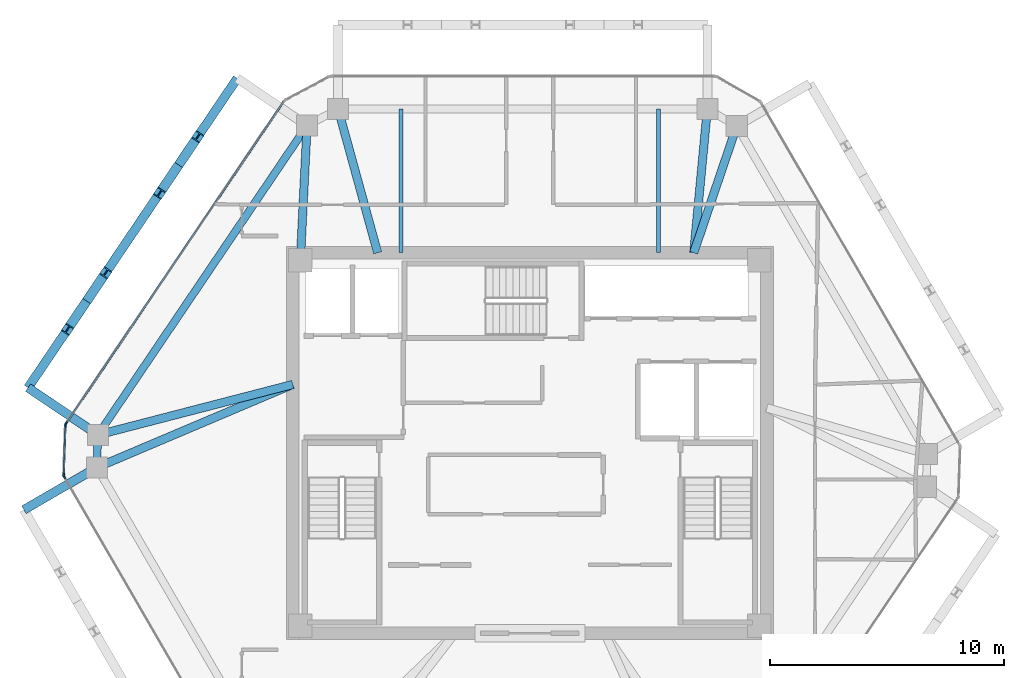
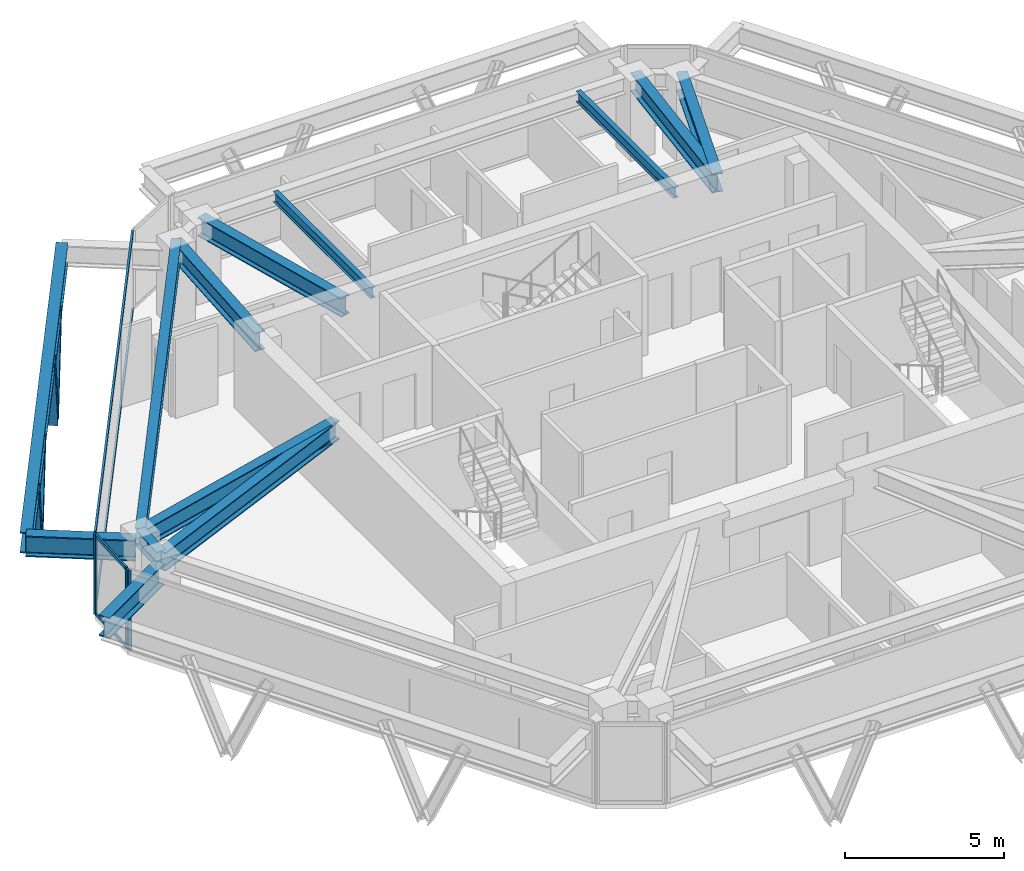
# One storey, part 4 of 11: 13 beams, 12 members, 3 elements without a shape of their own.
"""IFC4 building model written with IfcOpenShell, lengths in metres."""

from ifc_helpers import new_model, si_unit, direction, frame, origin, origin_2d, place, context, subcontext, project, spatial, rectangle, i_section, extrude, source, transform, mapped, material, layer, layer_set, material_profile, profile_set, type_object, type_shapes, element, aggregate, save


model = new_model("IFC4")

# Units and contexts
model_context = context("Model", 3, precision=1e-05, world=origin(), true_north=direction((0.0, 1.0)))
body_context = subcontext(model_context, "Body", "Model", "MODEL_VIEW")
ifc_project = project(units=[si_unit("LENGTHUNIT", "METRE"), si_unit("AREAUNIT", "SQUARE_METRE"), si_unit("VOLUMEUNIT", "CUBIC_METRE"), si_unit("PLANEANGLEUNIT", "RADIAN"), si_unit("MASSUNIT", "GRAM", prefix="KILO")], contexts=[model_context])

# Site, building, storey
site_placement = place(None, origin())
site = spatial("IfcSite", under=ifc_project, at=site_placement, CompositionType="ELEMENT")
building_placement = place(site_placement, origin())
building = spatial("IfcBuilding", under=site, at=building_placement, Name="Durnholm Broadcast Tower", CompositionType="ELEMENT")
storey_placement = place(building_placement, frame((0.0, 0.0, 238.10009765625)))
storey = spatial("IfcBuildingStorey", under=building, at=storey_placement, Name="L66", CompositionType="ELEMENT", Elevation=238.10009765625)

# Beams
ifc_material_1 = material(Name="Steel ASTM A992 Grade 50", Category="steel")
ifc_material_profile_1 = material_profile(ifc_material_1, i_section(OverallWidth=0.385009765625, OverallDepth=0.802978515625, WebThickness=0.023681640625, FlangeThickness=0.0419921875, FilletRadius=0.032958984375, at=origin_2d()), Name="W30X261")
ifc_profile_set_1 = profile_set([ifc_material_profile_1], Name="Steel ASTM A992 Grade 50")
beam_type_1 = type_object("IfcBeamType", Name="BM-EXO-TIE", PredefinedType="USERDEFINED", material=ifc_profile_set_1)
shared_shape_1 = source(origin(), body_context, "Body", "SweptSolid", [
    extrude(i_section(OverallWidth=0.385009765625, OverallDepth=0.802978515625, WebThickness=0.023681640625, FlangeThickness=0.0419921875, FilletRadius=0.032958984375, at=origin_2d()), origin(), (0.0, 0.0, 1.0), 3.4560546875),
])
for number, where, z_axis, x_axis, name in (
    (1, (-18.565673828125, 0.426513671875, 2.308349609375), (-0.828413564093, 0.56011692246, 0.0), (-0.56011692246, -0.828413564093, 0.0), "L66 exoskeleton stand-off tie bracket F5.2"),
    (2, (-18.618896484375, -1.1201171875, 2.308349609375), (-0.864876013532, -0.501985538852, 0.0), (0.501985538852, -0.864876013532, 0.0), "L66 exoskeleton stand-off tie bracket F6.1"),
):
    element("IfcBeam", number, at=place(storey_placement, frame(where, z_axis=z_axis, x_axis=x_axis)), inside=storey, type_object=beam_type_1, Name=name, ObjectType="GIRDER", PredefinedType="USERDEFINED", context=body_context, shape_type="MappedRepresentation", body=[
        mapped(shared_shape_1, transform((0.0, 0.0, 0.0), x_axis=(1.0, 0.0, 0.0), y_axis=(0.0, 1.0, 0.0), z_axis=(0.0, 0.0, 1.0), scale=1.0)),
    ])
ifc_material_profile_2 = material_profile(ifc_material_1, i_section(OverallWidth=0.3251953125, OverallDepth=0.6162109375, WebThickness=0.013916015625, FlangeThickness=0.021484375, FilletRadius=0.02783203125, at=origin_2d()), Name="W24X117")
ifc_profile_set_2 = profile_set([ifc_material_profile_2], Name="Steel ASTM A992 Grade 50")
beam_type_2 = type_object("IfcBeamType", Name="STL-SP-W24X117", PredefinedType="SPANDREL", material=ifc_profile_set_2)
shared_shape_2 = source(origin(), body_context, "Body", "SweptSolid", [
    extrude(i_section(OverallWidth=0.3251953125, OverallDepth=0.6162109375, WebThickness=0.013916015625, FlangeThickness=0.021484375, FilletRadius=0.02783203125, at=origin_2d()), origin(), (0.0, 0.0, 1.0), 1.39453125),
])
beam_1_placement = place(storey_placement, frame((-18.494384765625, -1.0478515625, 2.73681640625), z_axis=(0.034486393061, 0.999405167434, 0.0), x_axis=(-0.999405167434, 0.034486393061, 0.0)))
element("IfcBeam", 3, at=beam_1_placement, inside=storey, type_object=beam_type_2, Name="L66 perimeter spandrel girder 02", PredefinedType="SPANDREL", context=body_context, shape_type="MappedRepresentation", body=[
    mapped(shared_shape_2, transform((0.0, 0.0, 0.0), x_axis=(1.0, 0.0, 0.0), y_axis=(0.0, 1.0, 0.0), z_axis=(0.0, 0.0, 1.0), scale=1.0)),
])
shared_shape_3 = source(origin(), body_context, "Body", "SweptSolid", [
    extrude(i_section(OverallWidth=0.3251953125, OverallDepth=0.6162109375, WebThickness=0.013916015625, FlangeThickness=0.021484375, FilletRadius=0.02783203125, at=origin_2d()), origin(), (0.0, 0.0, 1.0), 15.947265625),
])
type_shapes(beam_type_2, [shared_shape_2, shared_shape_3])
beam_2_placement = place(storey_placement, frame((-18.4462890625, 0.345947265625, 2.73681640625), z_axis=(0.560062212489, 0.828450552623, 0.0), x_axis=(-0.828450552623, 0.560062212489, 0.0)))
element("IfcBeam", 4, at=beam_2_placement, inside=storey, type_object=beam_type_2, Name="L66 perimeter spandrel girder 03", PredefinedType="SPANDREL", context=body_context, shape_type="MappedRepresentation", body=[
    mapped(shared_shape_3, transform((0.0, 0.0, 0.0), x_axis=(1.0, 0.0, 0.0), y_axis=(0.0, 1.0, 0.0), z_axis=(0.0, 0.0, 1.0), scale=1.0)),
])
ifc_material_profile_3 = material_profile(ifc_material_1, i_section(OverallWidth=0.3564453125, OverallDepth=0.713623046875, WebThickness=0.01904296875, FlangeThickness=0.033935546875, FilletRadius=0.030517578125, at=origin_2d()), Name="W27X194")
ifc_profile_set_3 = profile_set([ifc_material_profile_3], Name="Steel ASTM A992 Grade 50")
beam_type_3 = type_object("IfcBeamType", Name="STL-GR-W27X194", PredefinedType="USERDEFINED", material=ifc_profile_set_3)
shared_shape_4 = source(origin(), body_context, "Body", "SweptSolid", [
    extrude(i_section(OverallWidth=0.3564453125, OverallDepth=0.713623046875, WebThickness=0.01904296875, FlangeThickness=0.033935546875, FilletRadius=0.030517578125, at=origin_2d()), origin(), (0.0, 0.0, 1.0), 5.764404296875),
])
beam_3_placement = place(storey_placement, frame((-9.800048828125, 7.800048828125, 2.68798828125), z_axis=(0.049468662109, 0.99877567625, 0.0), x_axis=(-0.99877567625, 0.049468662109, 0.0)))
element("IfcBeam", 5, at=beam_3_placement, inside=storey, type_object=beam_type_3, Name="L66 radial primary floor girder 04", ObjectType="GIRDER", PredefinedType="USERDEFINED", context=body_context, shape_type="MappedRepresentation", body=[
    mapped(shared_shape_4, transform((0.0, 0.0, 0.0), x_axis=(1.0, 0.0, 0.0), y_axis=(0.0, 1.0, 0.0), z_axis=(0.0, 0.0, 1.0), scale=1.0)),
])
shared_shape_5 = source(origin(), body_context, "Body", "SweptSolid", [
    extrude(i_section(OverallWidth=0.385009765625, OverallDepth=0.802978515625, WebThickness=0.023681640625, FlangeThickness=0.0419921875, FilletRadius=0.032958984375, at=origin_2d()), origin(), (0.0, 0.0, 1.0), 15.947021484375),
])
type_shapes(beam_type_1, [shared_shape_1, shared_shape_5])
beam_4_placement = place(storey_placement, frame((-12.497314453125, 15.573486328125, 2.308349609375), z_axis=(-0.560069315853, -0.828445750451, 0.0), x_axis=(0.828445750451, -0.560069315853, 0.0)))
element("IfcBeam", 6, at=beam_4_placement, inside=storey, type_object=beam_type_1, Name="L66 exoskeleton collector spandrel F5", PredefinedType="SPANDREL", context=body_context, shape_type="MappedRepresentation", body=[
    mapped(shared_shape_5, transform((0.0, 0.0, 0.0), x_axis=(1.0, 0.0, 0.0), y_axis=(0.0, 1.0, 0.0), z_axis=(0.0, 0.0, 1.0), scale=1.0)),
])
shared_shape_6 = source(origin(), body_context, "Body", "SweptSolid", [
    extrude(i_section(OverallWidth=0.3564453125, OverallDepth=0.713623046875, WebThickness=0.01904296875, FlangeThickness=0.033935546875, FilletRadius=0.030517578125, at=origin_2d()), origin(), (0.0, 0.0, 1.0), 9.09033203125),
])
beam_5_placement = place(storey_placement, frame((-10.125, 2.5, 2.68798828125), z_axis=(-0.920692350722, -0.390289117607, 0.0), x_axis=(0.390289117607, -0.920692350722, 0.0)))
element("IfcBeam", 7, at=beam_5_placement, inside=storey, type_object=beam_type_3, Name="L66 radial primary floor girder 02", ObjectType="GIRDER", PredefinedType="USERDEFINED", context=body_context, shape_type="MappedRepresentation", body=[
    mapped(shared_shape_6, transform((0.0, 0.0, 0.0), x_axis=(1.0, 0.0, 0.0), y_axis=(0.0, 1.0, 0.0), z_axis=(0.0, 0.0, 1.0), scale=1.0)),
])
shared_shape_7 = source(origin(), body_context, "Body", "SweptSolid", [
    extrude(i_section(OverallWidth=0.3564453125, OverallDepth=0.713623046875, WebThickness=0.01904296875, FlangeThickness=0.033935546875, FilletRadius=0.030517578125, at=origin_2d()), origin(), (0.0, 0.0, 1.0), 8.595458984375),
])
beam_6_placement = place(storey_placement, frame((-10.125, 2.5, 2.68798828125), z_axis=(-0.968090619149, -0.250600385306, 0.0), x_axis=(0.250600385306, -0.968090619149, 0.0)))
element("IfcBeam", 8, at=beam_6_placement, inside=storey, type_object=beam_type_3, Name="L66 radial primary floor girder 03", ObjectType="GIRDER", PredefinedType="USERDEFINED", context=body_context, shape_type="MappedRepresentation", body=[
    mapped(shared_shape_7, transform((0.0, 0.0, 0.0), x_axis=(1.0, 0.0, 0.0), y_axis=(0.0, 1.0, 0.0), z_axis=(0.0, 0.0, 1.0), scale=1.0)),
])
shared_shape_8 = source(origin(), body_context, "Body", "SweptSolid", [
    extrude(i_section(OverallWidth=0.3564453125, OverallDepth=0.713623046875, WebThickness=0.01904296875, FlangeThickness=0.033935546875, FilletRadius=0.030517578125, at=origin_2d()), origin(), (0.0, 0.0, 1.0), 6.36474609375),
])
beam_7_placement = place(storey_placement, frame((-6.5, 8.125, 2.68798828125), z_axis=(-0.265168072834, 0.96420220553, 0.0), x_axis=(-0.96420220553, -0.265168072834, 0.0)))
element("IfcBeam", 9, at=beam_7_placement, inside=storey, type_object=beam_type_3, Name="L66 radial primary floor girder 05", ObjectType="GIRDER", PredefinedType="USERDEFINED", context=body_context, shape_type="MappedRepresentation", body=[
    mapped(shared_shape_8, transform((0.0, 0.0, 0.0), x_axis=(1.0, 0.0, 0.0), y_axis=(0.0, 1.0, 0.0), z_axis=(0.0, 0.0, 1.0), scale=1.0)),
])
shared_shape_9 = source(origin(), body_context, "Body", "SweptSolid", [
    extrude(i_section(OverallWidth=0.3564453125, OverallDepth=0.713623046875, WebThickness=0.01904296875, FlangeThickness=0.033935546875, FilletRadius=0.030517578125, at=origin_2d()), origin(), (0.0, 0.0, 1.0), 6.164306640625),
])
beam_8_placement = place(storey_placement, frame((7.0, 8.125, 2.68798828125), z_axis=(0.094024068139, 0.995569924521, 0.0), x_axis=(-0.995569924521, 0.094024068139, 0.0)))
element("IfcBeam", 10, at=beam_8_placement, inside=storey, type_object=beam_type_3, Name="L66 radial primary floor girder 06", ObjectType="GIRDER", PredefinedType="USERDEFINED", context=body_context, shape_type="MappedRepresentation", body=[
    mapped(shared_shape_9, transform((0.0, 0.0, 0.0), x_axis=(1.0, 0.0, 0.0), y_axis=(0.0, 1.0, 0.0), z_axis=(0.0, 0.0, 1.0), scale=1.0)),
])
shared_shape_10 = source(origin(), body_context, "Body", "SweptSolid", [
    extrude(i_section(OverallWidth=0.3564453125, OverallDepth=0.713623046875, WebThickness=0.01904296875, FlangeThickness=0.033935546875, FilletRadius=0.030517578125, at=origin_2d()), origin(), (0.0, 0.0, 1.0), 5.716064453125),
])
type_shapes(beam_type_3, [shared_shape_4, shared_shape_6, shared_shape_7, shared_shape_8, shared_shape_9, shared_shape_10])
beam_9_placement = place(storey_placement, frame((7.0, 8.125, 2.68798828125), z_axis=(0.321450919754, 0.946926241156, 0.0), x_axis=(-0.946926241156, 0.321450919754, 0.0)))
element("IfcBeam", 11, at=beam_9_placement, inside=storey, type_object=beam_type_3, Name="L66 radial primary floor girder 07", ObjectType="GIRDER", PredefinedType="USERDEFINED", context=body_context, shape_type="MappedRepresentation", body=[
    mapped(shared_shape_10, transform((0.0, 0.0, 0.0), x_axis=(1.0, 0.0, 0.0), y_axis=(0.0, 1.0, 0.0), z_axis=(0.0, 0.0, 1.0), scale=1.0)),
])
ifc_material_profile_4 = material_profile(ifc_material_1, i_section(OverallWidth=0.177734375, OverallDepth=0.40673828125, WebThickness=0.0078125, FlangeThickness=0.0126953125, FilletRadius=0.01904296875, at=origin_2d()), Name="W16X40")
ifc_profile_set_4 = profile_set([ifc_material_profile_4], Name="Steel ASTM A992 Grade 50")
beam_type_4 = type_object("IfcBeamType", Name="STL-BJ-W16X40", PredefinedType="JOIST", material=ifc_profile_set_4)
shared_shape_11 = source(origin(), body_context, "Body", "SweptSolid", [
    extrude(i_section(OverallWidth=0.177734375, OverallDepth=0.40673828125, WebThickness=0.0078125, FlangeThickness=0.0126953125, FilletRadius=0.01904296875, at=origin_2d()), origin(), (0.0, 0.0, 1.0), 6.136962890625),
])
type_shapes(beam_type_4, [shared_shape_11])
for number, where, z_axis, x_axis, name in (
    (12, (-5.5, 8.125, 2.841552734375), (0.0, 1.0, 0.0), (-1.0, 0.0, 0.0), "L66 secondary floor joist 3.2"),
    (13, (5.5, 8.125, 2.841552734375), (0.0, 1.0, 0.0), (-1.0, 0.0, 0.0), "L66 secondary floor joist 4.2"),
):
    element("IfcBeam", number, at=place(storey_placement, frame(where, z_axis=z_axis, x_axis=x_axis)), inside=storey, type_object=beam_type_4, Name=name, PredefinedType="JOIST", context=body_context, shape_type="MappedRepresentation", body=[
        mapped(shared_shape_11, transform((0.0, 0.0, 0.0), x_axis=(1.0, 0.0, 0.0), y_axis=(0.0, 1.0, 0.0), z_axis=(0.0, 0.0, 1.0), scale=1.0)),
    ])

# Members
ifc_material_2 = material(Name="Steel ASTM A913 Grade 65", Category="steel")
ifc_material_profile_5 = material_profile(ifc_material_2, i_section(OverallWidth=0.40625, OverallDepth=0.416015625, WebThickness=0.02978515625, FlangeThickness=0.048095703125, FilletRadius=0.030517578125, at=origin_2d()), Name="W14X257")
ifc_profile_set_5 = profile_set([ifc_material_profile_5], Name="Steel ASTM A913 Grade 65")
member_type_1 = type_object("IfcMemberType", Name="STL-DG-W14X257", PredefinedType="BRACE", material=ifc_profile_set_5)
shared_shape_12 = source(origin(), body_context, "Body", "SweptSolid", [
    extrude(i_section(OverallWidth=0.40625, OverallDepth=0.416015625, WebThickness=0.02978515625, FlangeThickness=0.048095703125, FilletRadius=0.030517578125, at=origin_2d()), origin(), (0.0, 0.0, 1.0), 3.607666015625),
])
type_shapes(member_type_1, [shared_shape_12])
for number, where, z_axis, x_axis, name in (
    (14, (-14.998046875, 11.874267578125, -0.991455078125), (0.226363144823, 0.334909178992, 0.914655983686), (-0.828505003222, 0.559981660089, 0.0), "L66 stand-off diagrid brace F5.D1.1"),
    (15, (-14.998046875, 11.874267578125, -0.991455078125), (-0.226368274775, -0.334849095242, 0.914676712063), (0.828452496411, -0.560059337206, 0.0), "L66 stand-off diagrid brace F5.D1.2"),
    (16, (-18.927978515625, 6.061279296875, -0.991455078125), (0.226368274775, 0.334849095242, 0.914676712063), (-0.828452496411, 0.560059337206, 0.0), "L66 stand-off diagrid brace F5.D2.1"),
    (17, (-18.927978515625, 6.061279296875, -0.991455078125), (-0.226368274775, -0.334849095242, 0.914676712063), (0.828452496411, -0.560059337206, 0.0), "L66 stand-off diagrid brace F5.D2.2"),
):
    element("IfcMember", number, at=place(storey_placement, frame(where, z_axis=z_axis, x_axis=x_axis)), inside=storey, type_object=member_type_1, Name=name, PredefinedType="BRACE", context=body_context, shape_type="MappedRepresentation", body=[
        mapped(shared_shape_12, transform((0.0, 0.0, 0.0), x_axis=(1.0, 0.0, 0.0), y_axis=(0.0, 1.0, 0.0), z_axis=(0.0, 0.0, 1.0), scale=1.0)),
    ])

# Curtain wall, members
ifc_material_3 = material(Name="Aluminium and Solar Control IGU", Category="aluminium")
ifc_layer_1 = layer(ifc_material_3, 0.1650390625)
ifc_layer_set_1 = layer_set([ifc_layer_1], Name="Aluminium and Solar Control IGU")
curtain_wall_type_1 = type_object("IfcCurtainWallType", Name="CW-SYS-5", PredefinedType="NOTDEFINED", material=ifc_layer_set_1)
curtain_wall_1_placement = place(storey_placement, origin())
curtain_wall_1 = element("IfcCurtainWall", 18, at=curtain_wall_1_placement, inside=storey, type_object=curtain_wall_type_1, Name="L66 curtain wall CW-CORNER CW-L66-CRN-01", PredefinedType="NOTDEFINED")
ifc_material_4 = material(Name="Aluminium 6063-T6", Category="aluminium")
ifc_material_profile_6 = material_profile(ifc_material_4, rectangle(XDim=0.06494140625, YDim=0.1298828125, at=origin_2d()), Name="CWT65X130")
ifc_profile_set_6 = profile_set([ifc_material_profile_6], Name="Aluminium 6063-T6")
member_type_2 = type_object("IfcMemberType", Name="CW-SYS-5-TRN", PredefinedType="USERDEFINED", material=ifc_profile_set_6)
shared_shape_13 = source(origin(), body_context, "Body", "SweptSolid", [
    extrude(rectangle(XDim=0.06494140625, YDim=0.1298828125, at=origin_2d()), origin(), (0.0, 0.0, 1.0), 2.070068359375),
])
type_shapes(member_type_2, [shared_shape_13])
member_1_placement = place(storey_placement, frame((-19.905029296875, -1.33740234375, 0.032470703125), z_axis=(0.034320104965, 0.999410891673, 0.0), x_axis=(-0.999410891673, 0.034320104965, 0.0)))
member_1 = element("IfcMember", 19, at=member_1_placement, type_object=member_type_2, Name="CW-CORNER transom 1.1", ObjectType="TRANSOM", PredefinedType="USERDEFINED", context=body_context, shape_type="MappedRepresentation", body=[
    mapped(shared_shape_13, transform((0.0, 0.0, 0.0), x_axis=(1.0, 0.0, 0.0), y_axis=(0.0, 1.0, 0.0), z_axis=(0.0, 0.0, 1.0), scale=1.0)),
])
member_2_placement = place(storey_placement, frame((-19.905029296875, -1.33740234375, 3.02734375), z_axis=(0.034320104965, 0.999410891673, 0.0), x_axis=(-0.999410891673, 0.034320104965, 0.0)))
member_2 = element("IfcMember", 20, at=member_2_placement, type_object=member_type_2, Name="CW-CORNER transom 1.2", ObjectType="TRANSOM", PredefinedType="USERDEFINED", context=body_context, shape_type="MappedRepresentation", body=[
    mapped(shared_shape_13, transform((0.0, 0.0, 0.0), x_axis=(1.0, 0.0, 0.0), y_axis=(0.0, 1.0, 0.0), z_axis=(0.0, 0.0, 1.0), scale=1.0)),
])
ifc_material_profile_7 = material_profile(ifc_material_4, rectangle(XDim=0.06494140625, YDim=0.1650390625, at=origin_2d()), Name="CWM65X165")
ifc_profile_set_7 = profile_set([ifc_material_profile_7], Name="Aluminium 6063-T6")
member_type_3 = type_object("IfcMemberType", Name="CW-SYS-5-MUL", PredefinedType="MULLION", material=ifc_profile_set_7)
shared_shape_14 = source(origin(), body_context, "Body", "SweptSolid", [
    extrude(rectangle(XDim=0.06494140625, YDim=0.1650390625, at=origin_2d()), origin(), (0.0, 0.0, 1.0), 3.059814453125),
])
type_shapes(member_type_3, [shared_shape_14])
member_3_placement = place(storey_placement, frame((-19.90625, -1.369873046875, 0.0), z_axis=(0.0, 0.0, 1.0), x_axis=(-0.999410955514, 0.034318245849, 0.0)))
member_3 = element("IfcMember", 21, at=member_3_placement, type_object=member_type_3, Name="CW-CORNER mullion 1", PredefinedType="MULLION", context=body_context, shape_type="MappedRepresentation", body=[
    mapped(shared_shape_14, transform((0.0, 0.0, 0.0), x_axis=(1.0, 0.0, 0.0), y_axis=(0.0, 1.0, 0.0), z_axis=(0.0, 0.0, 1.0), scale=1.0)),
])
member_4_placement = place(storey_placement, frame((-19.8330078125, 0.763916015625, 0.0), z_axis=(0.0, 0.0, 1.0), x_axis=(-0.999410955514, 0.034318245849, 0.0)))
member_4 = element("IfcMember", 22, at=member_4_placement, type_object=member_type_3, Name="CW-CORNER mullion 2", PredefinedType="MULLION", context=body_context, shape_type="MappedRepresentation", body=[
    mapped(shared_shape_14, transform((0.0, 0.0, 0.0), x_axis=(1.0, 0.0, 0.0), y_axis=(0.0, 1.0, 0.0), z_axis=(0.0, 0.0, 1.0), scale=1.0)),
])
aggregate(curtain_wall_1, [member_3, member_4, member_1, member_2])

# Curtain wall, member
ifc_layer_2 = layer(ifc_material_3, 0.18994140625)
ifc_layer_set_2 = layer_set([ifc_layer_2], Name="Aluminium and Solar Control IGU")
curtain_wall_type_2 = type_object("IfcCurtainWallType", Name="CW-SYS-4", PredefinedType="NOTDEFINED", material=ifc_layer_set_2)
curtain_wall_2_placement = place(storey_placement, origin())
curtain_wall_2 = element("IfcCurtainWall", 23, at=curtain_wall_2_placement, inside=storey, type_object=curtain_wall_type_2, Name="L66 curtain wall CW-Z34-VIS CW-L66-F02", PredefinedType="NOTDEFINED")
ifc_material_profile_8 = material_profile(ifc_material_4, rectangle(XDim=0.070068359375, YDim=0.18994140625, at=origin_2d()), Name="CWM70X190")
ifc_profile_set_8 = profile_set([ifc_material_profile_8], Name="Aluminium 6063-T6")
member_type_4 = type_object("IfcMemberType", Name="CW-SYS-4-MUL", PredefinedType="MULLION", material=ifc_profile_set_8)
shared_shape_15 = source(origin(), body_context, "Body", "SweptSolid", [
    extrude(rectangle(XDim=0.070068359375, YDim=0.18994140625, at=origin_2d()), origin(), (0.0, 0.0, 1.0), 3.059814453125),
])
type_shapes(member_type_4, [shared_shape_15])
member_5_placement = place(storey_placement, frame((-19.812255859375, 0.825439453125, 0.0), z_axis=(0.0, 0.0, 1.0), x_axis=(-0.828443431662, 0.560072745753, 0.0)))
member_5 = element("IfcMember", 24, at=member_5_placement, type_object=member_type_4, Name="CW-Z34-VIS mullion 1", PredefinedType="MULLION", context=body_context, shape_type="MappedRepresentation", body=[
    mapped(shared_shape_15, transform((0.0, 0.0, 0.0), x_axis=(1.0, 0.0, 0.0), y_axis=(0.0, 1.0, 0.0), z_axis=(0.0, 0.0, 1.0), scale=1.0)),
])

curtain_wall_3_placement = place(storey_placement, origin())
curtain_wall_3 = element("IfcCurtainWall", 25, at=curtain_wall_3_placement, inside=storey, type_object=curtain_wall_type_2, Name="L66 curtain wall CW-Z34-VIS CW-L66-F12", PredefinedType="NOTDEFINED")
member_6_placement = place(storey_placement, frame((-19.8896484375, -1.4326171875, 0.0), z_axis=(0.0, 0.0, 1.0), x_axis=(-0.864899883824, -0.50194441023, 0.0)))
member_6 = element("IfcMember", 26, at=member_6_placement, type_object=member_type_4, Name="CW-Z34-VIS mullion 2", PredefinedType="MULLION", context=body_context, shape_type="MappedRepresentation", body=[
    mapped(shared_shape_15, transform((0.0, 0.0, 0.0), x_axis=(1.0, 0.0, 0.0), y_axis=(0.0, 1.0, 0.0), z_axis=(0.0, 0.0, 1.0), scale=1.0)),
])
aggregate(curtain_wall_3, [member_6])

# Member
ifc_material_profile_9 = material_profile(ifc_material_4, rectangle(XDim=0.070068359375, YDim=0.14990234375, at=origin_2d()), Name="CWT70X150")
ifc_profile_set_9 = profile_set([ifc_material_profile_9], Name="Aluminium 6063-T6")
member_type_5 = type_object("IfcMemberType", Name="CW-SYS-4-TRN", PredefinedType="USERDEFINED", material=ifc_profile_set_9)
shared_shape_16 = source(origin(), body_context, "Body", "SweptSolid", [
    extrude(rectangle(XDim=0.070068359375, YDim=0.14990234375, at=origin_2d()), origin(), (0.0, 0.0, 1.0), 16.55859375),
])
type_shapes(member_type_5, [shared_shape_16])
member_7_placement = place(storey_placement, frame((-19.79248046875, 0.8544921875, 0.034912109375), z_axis=(0.560071338091, 0.828444383317, 0.0), x_axis=(-0.828444383317, 0.560071338091, 0.0)))
member_7 = element("IfcMember", 27, at=member_7_placement, type_object=member_type_5, Name="CW-Z34-VIS transom 1.1", ObjectType="TRANSOM", PredefinedType="USERDEFINED", context=body_context, shape_type="MappedRepresentation", body=[
    mapped(shared_shape_16, transform((0.0, 0.0, 0.0), x_axis=(1.0, 0.0, 0.0), y_axis=(0.0, 1.0, 0.0), z_axis=(0.0, 0.0, 1.0), scale=1.0)),
])

member_8_placement = place(storey_placement, frame((-19.79248046875, 0.8544921875, 3.02490234375), z_axis=(0.560071338091, 0.828444383317, 0.0), x_axis=(-0.828444383317, 0.560071338091, 0.0)))
member_8 = element("IfcMember", 28, at=member_8_placement, type_object=member_type_5, Name="CW-Z34-VIS transom 1.2", ObjectType="TRANSOM", PredefinedType="USERDEFINED", context=body_context, shape_type="MappedRepresentation", body=[
    mapped(shared_shape_16, transform((0.0, 0.0, 0.0), x_axis=(1.0, 0.0, 0.0), y_axis=(0.0, 1.0, 0.0), z_axis=(0.0, 0.0, 1.0), scale=1.0)),
])

aggregate(curtain_wall_2, [member_5, member_7, member_8])

save(model, "model.ifc")
